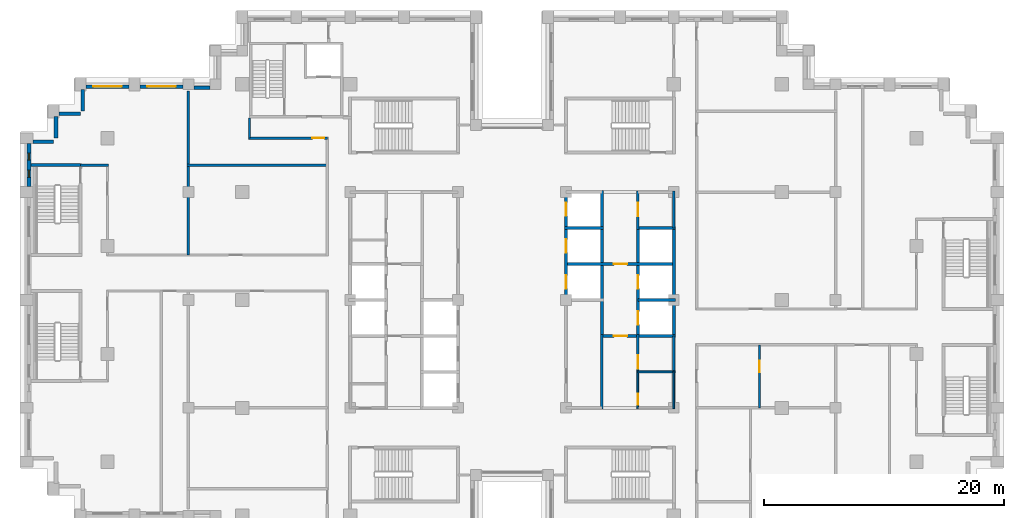
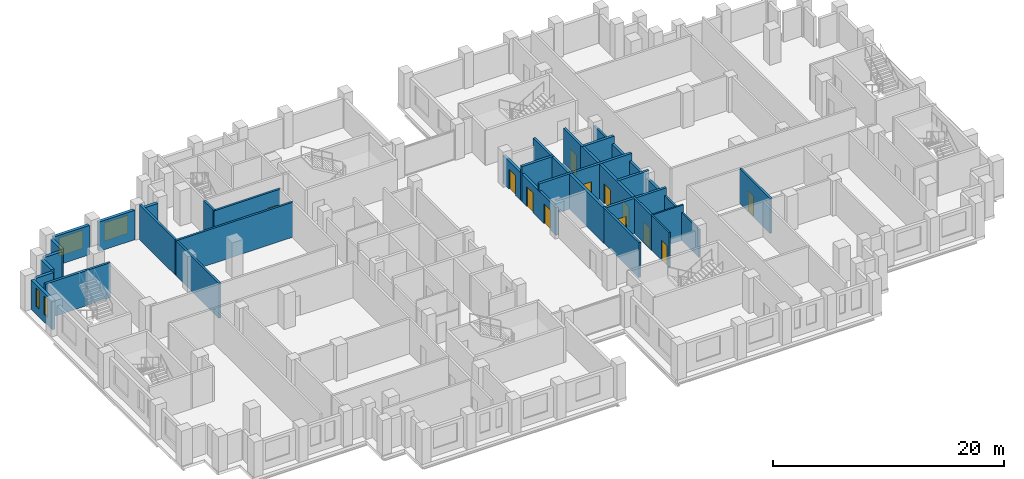
# One storey, part 9 of 15: 32 walls, 12 doors, 4 windows, 16 openings.
"""IFC4 building model written with IfcOpenShell, lengths in metres."""

from ifc_helpers import new_model, si_unit, direction, frame, frame_2d, origin, place, context, subcontext, project, spatial, rectangle, extrude, material, layer, layer_set, type_object, element, fill, save


model = new_model("IFC4")

# Units and contexts
model_context = context("Model", 3, precision=1e-05, world=origin(), true_north=direction((0.0, 1.0)))
body_context = subcontext(model_context, "Body", "Model", "MODEL_VIEW")
ifc_project = project(units=[si_unit("LENGTHUNIT", "METRE"), si_unit("AREAUNIT", "SQUARE_METRE"), si_unit("VOLUMEUNIT", "CUBIC_METRE"), si_unit("PLANEANGLEUNIT", "RADIAN"), si_unit("MASSUNIT", "GRAM", prefix="KILO")], contexts=[model_context])

# Site, building, storey
site_placement = place(None, origin())
site = spatial("IfcSite", under=ifc_project, at=site_placement, CompositionType="ELEMENT")
building_placement = place(site_placement, origin())
building = spatial("IfcBuilding", under=site, at=building_placement, Name="Corbelhall Arena Tower", CompositionType="ELEMENT")
storey_placement = place(building_placement, frame((0.0, 0.0, 142.0)))
storey = spatial("IfcBuildingStorey", under=building, at=storey_placement, Name="L27", CompositionType="ELEMENT", Elevation=142.0)

# Walls
ifc_material_1 = material(Name="Precast concrete C40/50 with granite facing", Category="masonry")
ifc_layer_1 = layer(ifc_material_1, 0.300048828125)
ifc_layer_set_1 = layer_set([ifc_layer_1], Name="EV-IW1 Infill panel 300")
wall_type_1 = type_object("IfcWallType", Name="EV-IW1 Infill panel 300", PredefinedType="SOLIDWALL", material=ifc_layer_set_1)
for number, where, z_axis, x_axis, name in (
    (1, (-35.800048828125, 17.550048828125, 0.0), (0.0, 0.0, 1.0), (0.0, -1.0, 0.0), "Infill panel IW1"),
    (2, (-37.800048828125, 15.550048828125, 0.0), (0.0, 0.0, 1.0), (1.0, 0.0, 0.0), "Infill panel IW1"),
    (3, (-38.050048828125, 15.300048828125, 0.0), (0.0, 0.0, 1.0), (0.0, -1.0, 0.0), "Infill panel IW1"),
):
    element("IfcWall", number, at=place(storey_placement, frame(where, z_axis=z_axis, x_axis=x_axis)), inside=storey, type_object=wall_type_1, Name=name, PredefinedType="SOLIDWALL", context=body_context, shape_type="SweptSolid", body=[
        extrude(rectangle(XDim=1.800048828125, YDim=0.300048828125, at=frame_2d((0.89990234375, 0.0))), origin(), (0.0, 0.0, 1.0), 3.10009765625),
    ])
wall_1_placement = place(storey_placement, frame((-39.949951171875, 13.199951171875, 0.0), z_axis=(0.0, 0.0, 1.0), x_axis=(1.0, 0.0, 0.0)))
element("IfcWall", 4, at=wall_1_placement, inside=storey, type_object=wall_type_1, Name="Infill panel IW1", PredefinedType="SOLIDWALL", context=body_context, shape_type="SweptSolid", body=[
    extrude(rectangle(XDim=1.699951171875, YDim=0.300048828125, at=frame_2d((0.85009765625, 0.0))), origin(), (0.0, 0.0, 1.0), 3.10009765625),
])
wall_2_placement = place(storey_placement, frame((-25.199951171875, 17.699951171875, 0.0), z_axis=(0.0, 0.0, 1.0), x_axis=(-1.0, 0.0, 0.0)))
element("IfcWall", 5, at=wall_2_placement, inside=storey, type_object=wall_type_1, Name="Infill panel IW1", PredefinedType="SOLIDWALL", context=body_context, shape_type="SweptSolid", body=[
    extrude(rectangle(XDim=1.35009765625, YDim=0.300048828125, at=frame_2d((0.675048828125, 0.0))), origin(), (0.0, 0.0, 1.0), 3.10009765625),
])

# Wall, opening, window
wall_3_placement = place(storey_placement, frame((-27.449951171875, 17.800048828125, 0.0), z_axis=(0.0, 0.0, 1.0), x_axis=(-1.0, 0.0, 0.0)))
wall_3 = element("IfcWall", 6, at=wall_3_placement, inside=storey, type_object=wall_type_1, Name="Infill panel IW1", PredefinedType="SOLIDWALL", context=body_context, shape_type="SweptSolid", body=[
    extrude(rectangle(XDim=3.60009765625, YDim=0.300048828125, at=frame_2d((1.800048828125, 0.0))), origin(), (0.0, 0.0, 1.0), 3.10009765625),
])
opening_1_placement = place(wall_3_placement, frame((0.60009765625, 0.0, 0.800048828125)))
opening_1 = element("IfcOpeningElement", 7, at=opening_1_placement, cuts=wall_3, Name="Opening WN1", PredefinedType="OPENING", context=body_context, shape_type="SweptSolid", body=[
    extrude(rectangle(XDim=2.39990234375, YDim=1.949951171875, at=frame_2d((1.199951171875, 0.97509765625))), frame((0.0, 0.14990234375, 0.0), z_axis=(0.0, -1.0, 0.0), x_axis=(1.0, 0.0, 0.0)), (0.0, 0.0, 1.0), 0.300048828125),
])
ifc_material_2 = material(Name="Aluminium black anodised", Category="aluminium")
window_type_1 = type_object("IfcWindowType", Name="EV-WN1 Office window", PartitioningType="SINGLE_PANEL", PredefinedType="WINDOW", material=ifc_material_2)
window_1_placement = place(opening_1_placement, origin())
window_1 = element("IfcWindow", 8, at=window_1_placement, inside=storey, type_object=window_type_1, Name="Window WN1", OverallHeight=1.949951171875, OverallWidth=2.39990234375, PartitioningType="SINGLE_PANEL", PredefinedType="WINDOW", context=body_context, shape_type="SweptSolid", body=[
    extrude(rectangle(XDim=2.39990234375, YDim=1.949951171875, at=frame_2d((1.199951171875, 0.97509765625))), frame((0.0, 0.030029296875, 0.0), z_axis=(0.0, -1.0, 0.0), x_axis=(1.0, 0.0, 0.0)), (0.0, 0.0, 1.0), 0.06005859375),
])
fill(opening_1, window_1)

wall_4_placement = place(storey_placement, frame((-31.949951171875, 17.800048828125, 0.0), z_axis=(0.0, 0.0, 1.0), x_axis=(-1.0, 0.0, 0.0)))
wall_4 = element("IfcWall", 9, at=wall_4_placement, inside=storey, type_object=wall_type_1, Name="Infill panel IW1", PredefinedType="SOLIDWALL", context=body_context, shape_type="SweptSolid", body=[
    extrude(rectangle(XDim=3.60009765625, YDim=0.300048828125, at=frame_2d((1.800048828125, 0.0))), origin(), (0.0, 0.0, 1.0), 3.10009765625),
])
opening_2_placement = place(wall_4_placement, frame((0.60009765625, 0.0, 0.800048828125)))
opening_2 = element("IfcOpeningElement", 10, at=opening_2_placement, cuts=wall_4, Name="Opening WN1", PredefinedType="OPENING", context=body_context, shape_type="SweptSolid", body=[
    extrude(rectangle(XDim=2.39990234375, YDim=1.949951171875, at=frame_2d((1.199951171875, 0.97509765625))), frame((0.0, 0.14990234375, 0.0), z_axis=(0.0, -1.0, 0.0), x_axis=(1.0, 0.0, 0.0)), (0.0, 0.0, 1.0), 0.300048828125),
])
window_2_placement = place(opening_2_placement, origin())
window_2 = element("IfcWindow", 11, at=window_2_placement, inside=storey, type_object=window_type_1, Name="Window WN1", OverallHeight=1.949951171875, OverallWidth=2.39990234375, PartitioningType="SINGLE_PANEL", PredefinedType="WINDOW", context=body_context, shape_type="SweptSolid", body=[
    extrude(rectangle(XDim=2.39990234375, YDim=1.949951171875, at=frame_2d((1.199951171875, 0.97509765625))), frame((0.0, 0.030029296875, 0.0), z_axis=(0.0, -1.0, 0.0), x_axis=(1.0, 0.0, 0.0)), (0.0, 0.0, 1.0), 0.06005859375),
])
fill(opening_2, window_2)

# Wall, openings, windows
wall_5_placement = place(storey_placement, frame((-40.300048828125, 13.050048828125, 0.0), z_axis=(0.0, 0.0, 1.0), x_axis=(0.0, -1.0, 0.0)))
wall_5 = element("IfcWall", 12, at=wall_5_placement, inside=storey, type_object=wall_type_1, Name="Infill panel IW1", PredefinedType="SOLIDWALL", context=body_context, shape_type="SweptSolid", body=[
    extrude(rectangle(XDim=3.60009765625, YDim=0.300048828125, at=frame_2d((1.800048828125, 0.0))), origin(), (0.0, 0.0, 1.0), 3.10009765625),
])
opening_3_placement = place(wall_5_placement, frame((0.78759765625, 0.0, 0.800048828125)))
opening_3 = element("IfcOpeningElement", 13, at=opening_3_placement, cuts=wall_5, Name="Opening WN5", PredefinedType="OPENING", context=body_context, shape_type="SweptSolid", body=[
    extrude(rectangle(XDim=0.60009765625, YDim=1.949951171875, at=frame_2d((0.300048828125, 0.97509765625))), frame((0.0, 0.14990234375, 0.0), z_axis=(0.0, -1.0, 0.0), x_axis=(1.0, 0.0, 0.0)), (0.0, 0.0, 1.0), 0.300048828125),
])
opening_4_placement = place(wall_5_placement, frame((2.21240234375, 0.0, 0.800048828125)))
opening_4 = element("IfcOpeningElement", 14, at=opening_4_placement, cuts=wall_5, Name="Opening WN5", PredefinedType="OPENING", context=body_context, shape_type="SweptSolid", body=[
    extrude(rectangle(XDim=0.60009765625, YDim=1.949951171875, at=frame_2d((0.300048828125, 0.97509765625))), frame((0.0, 0.14990234375, 0.0), z_axis=(0.0, -1.0, 0.0), x_axis=(1.0, 0.0, 0.0)), (0.0, 0.0, 1.0), 0.300048828125),
])
window_type_2 = type_object("IfcWindowType", Name="EV-WN5 Office window 600", PartitioningType="SINGLE_PANEL", PredefinedType="WINDOW", material=ifc_material_2)
window_3_placement = place(opening_3_placement, origin())
window_3 = element("IfcWindow", 15, at=window_3_placement, inside=storey, type_object=window_type_2, Name="Window WN5", OverallHeight=1.949951171875, OverallWidth=0.60009765625, PartitioningType="SINGLE_PANEL", PredefinedType="WINDOW", context=body_context, shape_type="SweptSolid", body=[
    extrude(rectangle(XDim=0.60009765625, YDim=1.949951171875, at=frame_2d((0.300048828125, 0.97509765625))), frame((0.0, 0.030029296875, 0.0), z_axis=(0.0, -1.0, 0.0), x_axis=(1.0, 0.0, 0.0)), (0.0, 0.0, 1.0), 0.06005859375),
])
fill(opening_3, window_3)
window_4_placement = place(opening_4_placement, origin())
window_4 = element("IfcWindow", 16, at=window_4_placement, inside=storey, type_object=window_type_2, Name="Window WN5", OverallHeight=1.949951171875, OverallWidth=0.60009765625, PartitioningType="SINGLE_PANEL", PredefinedType="WINDOW", context=body_context, shape_type="SweptSolid", body=[
    extrude(rectangle(XDim=0.60009765625, YDim=1.949951171875, at=frame_2d((0.300048828125, 0.97509765625))), frame((0.0, 0.030029296875, 0.0), z_axis=(0.0, -1.0, 0.0), x_axis=(1.0, 0.0, 0.0)), (0.0, 0.0, 1.0), 0.06005859375),
])
fill(opening_4, window_4)

# Walls
ifc_material_3 = material(Name="Gypsum board on steel stud, acoustic", Category="steel")
ifc_layer_2 = layer(ifc_material_3, 0.199951171875)
ifc_layer_set_2 = layer_set([ifc_layer_2], Name="IN-W-DM200")
wall_type_2 = type_object("IfcWallType", Name="IN-W-DM200", PredefinedType="PARTITIONING", material=ifc_layer_set_2)
wall_6_placement = place(storey_placement, frame((-36.0, 11.25, 0.0), z_axis=(0.0, 0.0, 1.0), x_axis=(1.0, 0.0, 0.0)))
element("IfcWall", 17, at=wall_6_placement, inside=storey, type_object=wall_type_2, Name="Partition 001", PredefinedType="PARTITIONING", context=body_context, shape_type="SweptSolid", body=[
    extrude(rectangle(XDim=2.35009765625, YDim=0.199951171875, at=frame_2d((1.175048828125, 0.0))), origin(), (0.0, 0.0, 1.0), 3.699951171875),
])
wall_7_placement = place(storey_placement, frame((-27.10009765625, 11.25, 0.0), z_axis=(0.0, 0.0, 1.0), x_axis=(1.0, 0.0, 0.0)))
element("IfcWall", 18, at=wall_7_placement, inside=storey, type_object=wall_type_2, Name="Partition 010", PredefinedType="PARTITIONING", context=body_context, shape_type="SweptSolid", body=[
    extrude(rectangle(XDim=11.7001953125, YDim=0.199951171875, at=frame_2d((5.85009765625, 0.0))), origin(), (0.0, 0.0, 1.0), 3.699951171875),
])
wall_8_placement = place(storey_placement, frame((-27.0, 3.75, 0.0), z_axis=(0.0, 0.0, 1.0), x_axis=(0.0, 1.0, 0.0)))
element("IfcWall", 19, at=wall_8_placement, inside=storey, type_object=wall_type_2, Name="Partition 012", PredefinedType="PARTITIONING", context=body_context, shape_type="SweptSolid", body=[
    extrude(rectangle(XDim=13.699951171875, YDim=0.199951171875, at=frame_2d((6.85009765625, 0.0))), origin(), (0.0, 0.0, 1.0), 3.699951171875),
])
wall_9_placement = place(storey_placement, frame((-21.89990234375, 13.5, 0.0), z_axis=(0.0, 0.0, 1.0), x_axis=(0.0, 1.0, 0.0)))
element("IfcWall", 20, at=wall_9_placement, inside=storey, type_object=wall_type_2, Name="Partition 014", PredefinedType="PARTITIONING", context=body_context, shape_type="SweptSolid", body=[
    extrude(rectangle(XDim=1.699951171875, YDim=0.199951171875, at=frame_2d((0.85009765625, 0.0))), origin(), (0.0, 0.0, 1.0), 3.699951171875),
])

# Wall, opening, door
wall_10_placement = place(storey_placement, frame((-15.39990234375, 13.5, 0.0), z_axis=(0.0, 0.0, 1.0), x_axis=(-1.0, 0.0, 0.0)))
wall_10 = element("IfcWall", 21, at=wall_10_placement, inside=storey, type_object=wall_type_2, Name="Partition 018", PredefinedType="PARTITIONING", context=body_context, shape_type="SweptSolid", body=[
    extrude(rectangle(XDim=6.60009765625, YDim=0.199951171875, at=frame_2d((3.300048828125, 0.0))), origin(), (0.0, 0.0, 1.0), 3.699951171875),
])
opening_5_placement = place(wall_10_placement, frame((0.25, 0.0, 0.0)))
opening_5 = element("IfcOpeningElement", 22, at=opening_5_placement, cuts=wall_10, Name="Opening 07027", PredefinedType="OPENING", context=body_context, shape_type="SweptSolid", body=[
    extrude(rectangle(XDim=1.0, YDim=2.10009765625, at=frame_2d((0.5, 1.050048828125))), frame((0.0, 0.10009765625, 0.0), z_axis=(0.0, -1.0, 0.0), x_axis=(1.0, 0.0, 0.0)), (0.0, 0.0, 1.0), 0.199951171875),
])
ifc_material_4 = material(Name="Steel door set", Category="steel")
door_type_1 = type_object("IfcDoorType", Name="IN-D-SW100", OperationType="NOTDEFINED", PredefinedType="DOOR", material=ifc_material_4)
door_1_placement = place(opening_5_placement, origin())
door_1 = element("IfcDoor", 23, at=door_1_placement, inside=storey, type_object=door_type_1, Name="Door 027", OperationType="SINGLE_SWING_RIGHT", OverallHeight=2.10009765625, OverallWidth=1.0, PredefinedType="DOOR", context=body_context, shape_type="SweptSolid", body=[
    extrude(rectangle(XDim=1.0, YDim=2.10009765625, at=frame_2d((0.5, 1.050048828125))), frame((0.0, 0.02490234375, 0.0), z_axis=(0.0, -1.0, 0.0), x_axis=(1.0, 0.0, 0.0)), (0.0, 0.0, 1.0), 0.050048828125),
])
fill(opening_5, door_1)

wall_11_placement = place(storey_placement, frame((20.64990234375, -3.75, 0.0), z_axis=(0.0, 0.0, 1.0), x_axis=(0.0, -1.0, 0.0)))
wall_11 = element("IfcWall", 24, at=wall_11_placement, inside=storey, type_object=wall_type_2, Name="Partition 036", PredefinedType="PARTITIONING", context=body_context, shape_type="SweptSolid", body=[
    extrude(rectangle(XDim=5.25, YDim=0.199951171875, at=frame_2d((2.625, 0.0))), origin(), (0.0, 0.0, 1.0), 3.699951171875),
])
opening_6_placement = place(wall_11_placement, frame((1.300048828125, 0.0, 0.0)))
opening_6 = element("IfcOpeningElement", 25, at=opening_6_placement, cuts=wall_11, Name="Opening 07039", PredefinedType="OPENING", context=body_context, shape_type="SweptSolid", body=[
    extrude(rectangle(XDim=1.0, YDim=2.10009765625, at=frame_2d((0.5, 1.050048828125))), frame((0.0, 0.10009765625, 0.0), z_axis=(0.0, -1.0, 0.0), x_axis=(1.0, 0.0, 0.0)), (0.0, 0.0, 1.0), 0.199951171875),
])
door_2_placement = place(opening_6_placement, origin())
door_2 = element("IfcDoor", 26, at=door_2_placement, inside=storey, type_object=door_type_1, Name="Door 039", OperationType="SINGLE_SWING_RIGHT", OverallHeight=2.10009765625, OverallWidth=1.0, PredefinedType="DOOR", context=body_context, shape_type="SweptSolid", body=[
    extrude(rectangle(XDim=1.0, YDim=2.10009765625, at=frame_2d((0.5, 1.050048828125))), frame((0.0, 0.02490234375, 0.0), z_axis=(0.0, -1.0, 0.0), x_axis=(1.0, 0.0, 0.0)), (0.0, 0.0, 1.0), 0.050048828125),
])
fill(opening_6, door_2)

# Wall
ifc_material_5 = material(Name="Concrete block wall", Category="concrete")
ifc_layer_3 = layer(ifc_material_5, 0.199951171875)
ifc_layer_set_3 = layer_set([ifc_layer_3], Name="IN-W-RS200")
wall_type_3 = type_object("IfcWallType", Name="IN-W-RS200", PredefinedType="SOLIDWALL", material=ifc_layer_set_3)
wall_12_placement = place(storey_placement, frame((7.5, -2.875, 0.0), z_axis=(0.0, 0.0, 1.0), x_axis=(0.0, -1.0, 0.0)))
element("IfcWall", 27, at=wall_12_placement, inside=storey, type_object=wall_type_3, Name="Partition 056", PredefinedType="SOLIDWALL", context=body_context, shape_type="SweptSolid", body=[
    extrude(rectangle(XDim=6.22509765625, YDim=0.199951171875, at=frame_2d((3.112548828125, 0.0))), origin(), (0.0, 0.0, 1.0), 3.699951171875),
])

# Wall, opening, door
wall_13_placement = place(storey_placement, frame((10.5, -2.875, 0.0), z_axis=(0.0, 0.0, 1.0), x_axis=(0.0, -1.0, 0.0)))
wall_13 = element("IfcWall", 28, at=wall_13_placement, inside=storey, type_object=wall_type_3, Name="Partition 057", PredefinedType="SOLIDWALL", context=body_context, shape_type="SweptSolid", body=[
    extrude(rectangle(XDim=3.199951171875, YDim=0.199951171875, at=frame_2d((1.60009765625, 0.0))), origin(), (0.0, 0.0, 1.0), 3.699951171875),
])
opening_7_placement = place(wall_13_placement, frame((1.75, 0.0, 0.0)))
opening_7 = element("IfcOpeningElement", 29, at=opening_7_placement, cuts=wall_13, Name="Opening 07012", PredefinedType="OPENING", context=body_context, shape_type="SweptSolid", body=[
    extrude(rectangle(XDim=1.10009765625, YDim=2.10009765625, at=frame_2d((0.550048828125, 1.050048828125))), frame((0.0, 0.10009765625, 0.0), z_axis=(0.0, -1.0, 0.0), x_axis=(1.0, 0.0, 0.0)), (0.0, 0.0, 1.0), 0.199951171875),
])
door_type_2 = type_object("IfcDoorType", Name="IN-D-FD110", OperationType="NOTDEFINED", PredefinedType="DOOR", material=ifc_material_4)
door_3_placement = place(opening_7_placement, origin())
door_3 = element("IfcDoor", 30, at=door_3_placement, inside=storey, type_object=door_type_2, Name="Door 012", OperationType="SINGLE_SWING_LEFT", OverallHeight=2.10009765625, OverallWidth=1.10009765625, PredefinedType="DOOR", context=body_context, shape_type="SweptSolid", body=[
    extrude(rectangle(XDim=1.10009765625, YDim=2.10009765625, at=frame_2d((0.550048828125, 1.050048828125))), frame((0.0, 0.02490234375, 0.0), z_axis=(0.0, -1.0, 0.0), x_axis=(1.0, 0.0, 0.0)), (0.0, 0.0, 1.0), 0.050048828125),
])
fill(opening_7, door_3)

wall_14_placement = place(storey_placement, frame((10.5, 9.10009765625, 0.0), z_axis=(0.0, 0.0, 1.0), x_axis=(0.0, -1.0, 0.0)))
wall_14 = element("IfcWall", 31, at=wall_14_placement, inside=storey, type_object=wall_type_3, Name="Partition 059", PredefinedType="SOLIDWALL", context=body_context, shape_type="SweptSolid", body=[
    extrude(rectangle(XDim=3.22509765625, YDim=0.199951171875, at=frame_2d((1.612548828125, 0.0))), origin(), (0.0, 0.0, 1.0), 3.699951171875),
])
opening_8_placement = place(wall_14_placement, frame((1.0, 0.0, 0.0)))
opening_8 = element("IfcOpeningElement", 32, at=opening_8_placement, cuts=wall_14, Name="Opening 07013", PredefinedType="OPENING", context=body_context, shape_type="SweptSolid", body=[
    extrude(rectangle(XDim=1.10009765625, YDim=2.10009765625, at=frame_2d((0.550048828125, 1.050048828125))), frame((0.0, 0.10009765625, 0.0), z_axis=(0.0, -1.0, 0.0), x_axis=(1.0, 0.0, 0.0)), (0.0, 0.0, 1.0), 0.199951171875),
])
door_4_placement = place(opening_8_placement, origin())
door_4 = element("IfcDoor", 33, at=door_4_placement, inside=storey, type_object=door_type_2, Name="Door 013", OperationType="SINGLE_SWING_RIGHT", OverallHeight=2.10009765625, OverallWidth=1.10009765625, PredefinedType="DOOR", context=body_context, shape_type="SweptSolid", body=[
    extrude(rectangle(XDim=1.10009765625, YDim=2.10009765625, at=frame_2d((0.550048828125, 1.050048828125))), frame((0.0, 0.02490234375, 0.0), z_axis=(0.0, -1.0, 0.0), x_axis=(1.0, 0.0, 0.0)), (0.0, 0.0, 1.0), 0.050048828125),
])
fill(opening_8, door_4)

# Walls
ifc_layer_4 = layer(ifc_material_5, 0.199951171875)
ifc_layer_set_4 = layer_set([ifc_layer_4], Name="IN-W-RS200 under beam 762 mm")
wall_type_4 = type_object("IfcWallType", Name="IN-W-RS200 under beam 762 mm", PredefinedType="SOLIDWALL", material=ifc_layer_set_4)
wall_15_placement = place(storey_placement, frame((13.5, -3.0, 0.0), z_axis=(0.0, 0.0, 1.0), x_axis=(0.0, -1.0, 0.0)))
element("IfcWall", 34, at=wall_15_placement, inside=storey, type_object=wall_type_4, Name="Partition 060", PredefinedType="SOLIDWALL", context=body_context, shape_type="SweptSolid", body=[
    extrude(rectangle(XDim=3.0, YDim=0.199951171875, at=frame_2d((1.5, 0.0))), origin(), (0.0, 0.0, 1.0), 2.93798828125),
])
wall_16_placement = place(storey_placement, frame((13.5, 9.10009765625, 0.0), z_axis=(0.0, 0.0, 1.0), x_axis=(0.0, -1.0, 0.0)))
element("IfcWall", 35, at=wall_16_placement, inside=storey, type_object=wall_type_4, Name="Partition 061", PredefinedType="SOLIDWALL", context=body_context, shape_type="SweptSolid", body=[
    extrude(rectangle(XDim=3.10009765625, YDim=0.199951171875, at=frame_2d((1.550048828125, 0.0))), origin(), (0.0, 0.0, 1.0), 2.93798828125),
])

# Wall, opening, door
ifc_material_6 = material(Name="Concrete C40/50", Category="concrete")
ifc_layer_5 = layer(ifc_material_6, 0.25)
ifc_layer_set_5 = layer_set([ifc_layer_5], Name="IN-W-SH250")
wall_type_5 = type_object("IfcWallType", Name="IN-W-SH250", PredefinedType="SOLIDWALL", material=ifc_layer_set_5)
wall_17_placement = place(storey_placement, frame((4.375, 3.0, 0.0), z_axis=(0.0, 0.0, 1.0), x_axis=(1.0, 0.0, 0.0)))
wall_17 = element("IfcWall", 36, at=wall_17_placement, inside=storey, type_object=wall_type_5, Name="Shaft wall 073", PredefinedType="SOLIDWALL", context=body_context, shape_type="SweptSolid", body=[
    extrude(rectangle(XDim=9.25, YDim=0.25, at=frame_2d((4.625, 0.0))), origin(), (0.0, 0.0, 1.0), 3.699951171875),
])
opening_9_placement = place(wall_17_placement, frame((4.125, 0.0, 0.0)))
opening_9 = element("IfcOpeningElement", 37, at=opening_9_placement, cuts=wall_17, Name="Opening 07010", PredefinedType="OPENING", context=body_context, shape_type="SweptSolid", body=[
    extrude(rectangle(XDim=1.10009765625, YDim=2.10009765625, at=frame_2d((0.550048828125, 1.050048828125))), frame((0.0, 0.125, 0.0), z_axis=(0.0, -1.0, 0.0), x_axis=(1.0, 0.0, 0.0)), (0.0, 0.0, 1.0), 0.25),
])
door_5_placement = place(opening_9_placement, origin())
door_5 = element("IfcDoor", 38, at=door_5_placement, inside=storey, type_object=door_type_2, Name="Door 010", OperationType="SINGLE_SWING_LEFT", OverallHeight=2.10009765625, OverallWidth=1.10009765625, PredefinedType="DOOR", context=body_context, shape_type="SweptSolid", body=[
    extrude(rectangle(XDim=1.10009765625, YDim=2.10009765625, at=frame_2d((0.550048828125, 1.050048828125))), frame((0.0, 0.02490234375, 0.0), z_axis=(0.0, -1.0, 0.0), x_axis=(1.0, 0.0, 0.0)), (0.0, 0.0, 1.0), 0.050048828125),
])
fill(opening_9, door_5)

# Wall
wall_18_placement = place(storey_placement, frame((4.375, 6.0, 0.0), z_axis=(0.0, 0.0, 1.0), x_axis=(1.0, 0.0, 0.0)))
element("IfcWall", 39, at=wall_18_placement, inside=storey, type_object=wall_type_5, Name="Shaft wall 074", PredefinedType="SOLIDWALL", context=body_context, shape_type="SweptSolid", body=[
    extrude(rectangle(XDim=3.25, YDim=0.25, at=frame_2d((1.625, 0.0))), origin(), (0.0, 0.0, 1.0), 3.699951171875),
])

# Wall, opening, door
wall_19_placement = place(storey_placement, frame((7.5, -3.0, 0.0), z_axis=(0.0, 0.0, 1.0), x_axis=(1.0, 0.0, 0.0)))
wall_19 = element("IfcWall", 40, at=wall_19_placement, inside=storey, type_object=wall_type_5, Name="Shaft wall 077", PredefinedType="SOLIDWALL", context=body_context, shape_type="SweptSolid", body=[
    extrude(rectangle(XDim=6.125, YDim=0.25, at=frame_2d((3.0625, 0.0))), origin(), (0.0, 0.0, 1.0), 3.699951171875),
])
opening_10_placement = place(wall_19_placement, frame((1.0, 0.0, 0.0)))
opening_10 = element("IfcOpeningElement", 41, at=opening_10_placement, cuts=wall_19, Name="Opening 07009", PredefinedType="OPENING", context=body_context, shape_type="SweptSolid", body=[
    extrude(rectangle(XDim=1.10009765625, YDim=2.10009765625, at=frame_2d((0.550048828125, 1.050048828125))), frame((0.0, 0.125, 0.0), z_axis=(0.0, -1.0, 0.0), x_axis=(1.0, 0.0, 0.0)), (0.0, 0.0, 1.0), 0.25),
])
door_6_placement = place(opening_10_placement, origin())
door_6 = element("IfcDoor", 42, at=door_6_placement, inside=storey, type_object=door_type_2, Name="Door 009", OperationType="SINGLE_SWING_RIGHT", OverallHeight=2.10009765625, OverallWidth=1.10009765625, PredefinedType="DOOR", context=body_context, shape_type="SweptSolid", body=[
    extrude(rectangle(XDim=1.10009765625, YDim=2.10009765625, at=frame_2d((0.550048828125, 1.050048828125))), frame((0.0, 0.02490234375, 0.0), z_axis=(0.0, -1.0, 0.0), x_axis=(1.0, 0.0, 0.0)), (0.0, 0.0, 1.0), 0.050048828125),
])
fill(opening_10, door_6)

# Walls
wall_20_placement = place(storey_placement, frame((7.5, 9.125, 0.0), z_axis=(0.0, 0.0, 1.0), x_axis=(0.0, -1.0, 0.0)))
element("IfcWall", 43, at=wall_20_placement, inside=storey, type_object=wall_type_5, Name="Shaft wall 078", PredefinedType="SOLIDWALL", context=body_context, shape_type="SweptSolid", body=[
    extrude(rectangle(XDim=12.25, YDim=0.25, at=frame_2d((6.125, 0.0))), origin(), (0.0, 0.0, 1.0), 3.699951171875),
])
wall_21_placement = place(storey_placement, frame((10.5, 0.0, 0.0), z_axis=(0.0, 0.0, 1.0), x_axis=(1.0, 0.0, 0.0)))
element("IfcWall", 44, at=wall_21_placement, inside=storey, type_object=wall_type_5, Name="Shaft wall 079", PredefinedType="SOLIDWALL", context=body_context, shape_type="SweptSolid", body=[
    extrude(rectangle(XDim=3.125, YDim=0.25, at=frame_2d((1.5625, 0.0))), origin(), (0.0, 0.0, 1.0), 3.699951171875),
])

# Wall, openings, doors
wall_22_placement = place(storey_placement, frame((10.5, 6.125, 0.0), z_axis=(0.0, 0.0, 1.0), x_axis=(0.0, -1.0, 0.0)))
wall_22 = element("IfcWall", 45, at=wall_22_placement, inside=storey, type_object=wall_type_5, Name="Shaft wall 080", PredefinedType="SOLIDWALL", context=body_context, shape_type="SweptSolid", body=[
    extrude(rectangle(XDim=9.25, YDim=0.25, at=frame_2d((4.625, 0.0))), origin(), (0.0, 0.0, 1.0), 3.699951171875),
])
opening_11_placement = place(wall_22_placement, frame((7.074951171875, 0.0, 0.0)))
opening_11 = element("IfcOpeningElement", 46, at=opening_11_placement, cuts=wall_22, Name="Opening LD", PredefinedType="OPENING", context=body_context, shape_type="SweptSolid", body=[
    extrude(rectangle(XDim=1.10009765625, YDim=2.10009765625, at=frame_2d((0.550048828125, 1.050048828125))), frame((0.0, 0.125, 0.0), z_axis=(0.0, -1.0, 0.0), x_axis=(1.0, 0.0, 0.0)), (0.0, 0.0, 1.0), 0.25),
])
opening_12_placement = place(wall_22_placement, frame((4.074951171875, 0.0, 0.0)))
opening_12 = element("IfcOpeningElement", 47, at=opening_12_placement, cuts=wall_22, Name="Opening LD", PredefinedType="OPENING", context=body_context, shape_type="SweptSolid", body=[
    extrude(rectangle(XDim=1.10009765625, YDim=2.10009765625, at=frame_2d((0.550048828125, 1.050048828125))), frame((0.0, 0.125, 0.0), z_axis=(0.0, -1.0, 0.0), x_axis=(1.0, 0.0, 0.0)), (0.0, 0.0, 1.0), 0.25),
])
door_type_3 = type_object("IfcDoorType", Name="IN-D-LD110", OperationType="NOTDEFINED", PredefinedType="DOOR", material=ifc_material_4)
door_7_placement = place(opening_11_placement, origin())
door_7 = element("IfcDoor", 48, at=door_7_placement, inside=storey, type_object=door_type_3, Name="Landing door E3", OperationType="SLIDING_TO_LEFT", OverallHeight=2.10009765625, OverallWidth=1.10009765625, PredefinedType="DOOR", context=body_context, shape_type="SweptSolid", body=[
    extrude(rectangle(XDim=1.10009765625, YDim=2.10009765625, at=frame_2d((0.550048828125, 1.050048828125))), frame((0.0, 0.02490234375, 0.0), z_axis=(0.0, -1.0, 0.0), x_axis=(1.0, 0.0, 0.0)), (0.0, 0.0, 1.0), 0.050048828125),
])
fill(opening_11, door_7)
door_8_placement = place(opening_12_placement, origin())
door_8 = element("IfcDoor", 49, at=door_8_placement, inside=storey, type_object=door_type_3, Name="Landing door E4", OperationType="SLIDING_TO_LEFT", OverallHeight=2.10009765625, OverallWidth=1.10009765625, PredefinedType="DOOR", context=body_context, shape_type="SweptSolid", body=[
    extrude(rectangle(XDim=1.10009765625, YDim=2.10009765625, at=frame_2d((0.550048828125, 1.050048828125))), frame((0.0, 0.02490234375, 0.0), z_axis=(0.0, -1.0, 0.0), x_axis=(1.0, 0.0, 0.0)), (0.0, 0.0, 1.0), 0.050048828125),
])
fill(opening_12, door_8)

# Wall
wall_23_placement = place(storey_placement, frame((10.5, 6.0, 0.0), z_axis=(0.0, 0.0, 1.0), x_axis=(1.0, 0.0, 0.0)))
element("IfcWall", 50, at=wall_23_placement, inside=storey, type_object=wall_type_5, Name="Shaft wall 081", PredefinedType="SOLIDWALL", context=body_context, shape_type="SweptSolid", body=[
    extrude(rectangle(XDim=3.125, YDim=0.25, at=frame_2d((1.5625, 0.0))), origin(), (0.0, 0.0, 1.0), 3.699951171875),
])

# Wall, openings, doors
ifc_layer_6 = layer(ifc_material_6, 0.25)
ifc_layer_set_6 = layer_set([ifc_layer_6], Name="IN-W-SH250 under beam 762 mm")
wall_type_6 = type_object("IfcWallType", Name="IN-W-SH250 under beam 762 mm", PredefinedType="SOLIDWALL", material=ifc_layer_set_6)
wall_24_placement = place(storey_placement, frame((4.5, 0.0, 0.0), z_axis=(0.0, 0.0, 1.0), x_axis=(0.0, 1.0, 0.0)))
wall_24 = element("IfcWall", 51, at=wall_24_placement, inside=storey, type_object=wall_type_6, Name="Shaft wall 075", PredefinedType="SOLIDWALL", context=body_context, shape_type="SweptSolid", body=[
    extrude(rectangle(XDim=9.125, YDim=0.25, at=frame_2d((4.5625, 0.0))), origin(), (0.0, 0.0, 1.0), 2.93798828125),
])
opening_13_placement = place(wall_24_placement, frame((0.949951171875, 0.0, 0.0)))
opening_13 = element("IfcOpeningElement", 52, at=opening_13_placement, cuts=wall_24, Name="Opening LD", PredefinedType="OPENING", context=body_context, shape_type="SweptSolid", body=[
    extrude(rectangle(XDim=1.10009765625, YDim=2.10009765625, at=frame_2d((0.550048828125, 1.050048828125))), frame((0.0, 0.125, 0.0), z_axis=(0.0, -1.0, 0.0), x_axis=(1.0, 0.0, 0.0)), (0.0, 0.0, 1.0), 0.25),
])
opening_14_placement = place(wall_24_placement, frame((3.949951171875, 0.0, 0.0)))
opening_14 = element("IfcOpeningElement", 53, at=opening_14_placement, cuts=wall_24, Name="Opening LD", PredefinedType="OPENING", context=body_context, shape_type="SweptSolid", body=[
    extrude(rectangle(XDim=1.10009765625, YDim=2.10009765625, at=frame_2d((0.550048828125, 1.050048828125))), frame((0.0, 0.125, 0.0), z_axis=(0.0, -1.0, 0.0), x_axis=(1.0, 0.0, 0.0)), (0.0, 0.0, 1.0), 0.25),
])
opening_15_placement = place(wall_24_placement, frame((7.012451171875, 0.0, 0.0)))
opening_15 = element("IfcOpeningElement", 54, at=opening_15_placement, cuts=wall_24, Name="Opening LD", PredefinedType="OPENING", context=body_context, shape_type="SweptSolid", body=[
    extrude(rectangle(XDim=1.10009765625, YDim=2.10009765625, at=frame_2d((0.550048828125, 1.050048828125))), frame((0.0, 0.125, 0.0), z_axis=(0.0, -1.0, 0.0), x_axis=(1.0, 0.0, 0.0)), (0.0, 0.0, 1.0), 0.25),
])
door_9_placement = place(opening_13_placement, origin())
door_9 = element("IfcDoor", 55, at=door_9_placement, inside=storey, type_object=door_type_3, Name="Landing door E4", OperationType="SLIDING_TO_LEFT", OverallHeight=2.10009765625, OverallWidth=1.10009765625, PredefinedType="DOOR", context=body_context, shape_type="SweptSolid", body=[
    extrude(rectangle(XDim=1.10009765625, YDim=2.10009765625, at=frame_2d((0.550048828125, 1.050048828125))), frame((0.0, 0.02490234375, 0.0), z_axis=(0.0, -1.0, 0.0), x_axis=(1.0, 0.0, 0.0)), (0.0, 0.0, 1.0), 0.050048828125),
])
fill(opening_13, door_9)
door_10_placement = place(opening_14_placement, origin())
door_10 = element("IfcDoor", 56, at=door_10_placement, inside=storey, type_object=door_type_3, Name="Landing door E5", OperationType="SLIDING_TO_LEFT", OverallHeight=2.10009765625, OverallWidth=1.10009765625, PredefinedType="DOOR", context=body_context, shape_type="SweptSolid", body=[
    extrude(rectangle(XDim=1.10009765625, YDim=2.10009765625, at=frame_2d((0.550048828125, 1.050048828125))), frame((0.0, 0.02490234375, 0.0), z_axis=(0.0, -1.0, 0.0), x_axis=(1.0, 0.0, 0.0)), (0.0, 0.0, 1.0), 0.050048828125),
])
fill(opening_14, door_10)
door_11_placement = place(opening_15_placement, origin())
door_11 = element("IfcDoor", 57, at=door_11_placement, inside=storey, type_object=door_type_3, Name="Landing door E6", OperationType="SLIDING_TO_LEFT", OverallHeight=2.10009765625, OverallWidth=1.10009765625, PredefinedType="DOOR", context=body_context, shape_type="SweptSolid", body=[
    extrude(rectangle(XDim=1.10009765625, YDim=2.10009765625, at=frame_2d((0.550048828125, 1.050048828125))), frame((0.0, 0.02490234375, 0.0), z_axis=(0.0, -1.0, 0.0), x_axis=(1.0, 0.0, 0.0)), (0.0, 0.0, 1.0), 0.050048828125),
])
fill(opening_15, door_11)

# Walls
wall_25_placement = place(storey_placement, frame((13.5, 6.0, 0.0), z_axis=(0.0, 0.0, 1.0), x_axis=(0.0, -1.0, 0.0)))
element("IfcWall", 58, at=wall_25_placement, inside=storey, type_object=wall_type_6, Name="Shaft wall 082", PredefinedType="SOLIDWALL", context=body_context, shape_type="SweptSolid", body=[
    extrude(rectangle(XDim=9.0, YDim=0.25, at=frame_2d((4.5, 0.0))), origin(), (0.0, 0.0, 1.0), 2.93798828125),
])
ifc_layer_7 = layer(ifc_material_6, 0.25)
ifc_layer_set_7 = layer_set([ifc_layer_7], Name="IN-W-ST250")
wall_type_7 = type_object("IfcWallType", Name="IN-W-ST250", PredefinedType="SOLIDWALL", material=ifc_layer_set_7)
wall_26_placement = place(storey_placement, frame((-40.14990234375, 11.25, 0.0), z_axis=(0.0, 0.0, 1.0), x_axis=(1.0, 0.0, 0.0)))
element("IfcWall", 59, at=wall_26_placement, inside=storey, type_object=wall_type_7, Name="Shaft wall 084", PredefinedType="SOLIDWALL", context=body_context, shape_type="SweptSolid", body=[
    extrude(rectangle(XDim=4.14990234375, YDim=0.25, at=frame_2d((2.074951171875, 0.0))), origin(), (0.0, 0.0, 1.0), 3.699951171875),
])
ifc_material_7 = material(Name="Gypsum board on steel stud, moisture resistant", Category="steel")
ifc_layer_8 = layer(ifc_material_7, 0.14990234375)
ifc_layer_set_8 = layer_set([ifc_layer_8], Name="IN-W-WC150")
wall_type_8 = type_object("IfcWallType", Name="IN-W-WC150", PredefinedType="PARTITIONING", material=ifc_layer_set_8)
wall_27_placement = place(storey_placement, frame((10.5, -6.0, 0.0), z_axis=(0.0, 0.0, 1.0), x_axis=(1.0, 0.0, 0.0)))
element("IfcWall", 60, at=wall_27_placement, inside=storey, type_object=wall_type_8, Name="Partition 118", PredefinedType="PARTITIONING", context=body_context, shape_type="SweptSolid", body=[
    extrude(rectangle(XDim=3.10009765625, YDim=0.14990234375, at=frame_2d((1.550048828125, 0.0))), origin(), (0.0, 0.0, 1.0), 3.699951171875),
])

# Wall, opening, door
wall_28_placement = place(storey_placement, frame((10.5, -5.925048828125, 0.0), z_axis=(0.0, 0.0, 1.0), x_axis=(0.0, -1.0, 0.0)))
wall_28 = element("IfcWall", 61, at=wall_28_placement, inside=storey, type_object=wall_type_8, Name="Partition 119", PredefinedType="PARTITIONING", context=body_context, shape_type="SweptSolid", body=[
    extrude(rectangle(XDim=3.14990234375, YDim=0.14990234375, at=frame_2d((1.574951171875, 0.0))), origin(), (0.0, 0.0, 1.0), 3.699951171875),
])
opening_16_placement = place(wall_28_placement, frame((1.89990234375, 0.0, 0.0)))
opening_16 = element("IfcOpeningElement", 62, at=opening_16_placement, cuts=wall_28, Name="Opening 07011", PredefinedType="OPENING", context=body_context, shape_type="SweptSolid", body=[
    extrude(rectangle(XDim=0.89990234375, YDim=2.10009765625, at=frame_2d((0.449951171875, 1.050048828125))), frame((0.0, 0.074951171875, 0.0), z_axis=(0.0, -1.0, 0.0), x_axis=(1.0, 0.0, 0.0)), (0.0, 0.0, 1.0), 0.14990234375),
])
ifc_material_8 = material(Name="Timber door set", Category="wood")
door_type_4 = type_object("IfcDoorType", Name="IN-D-SW90", OperationType="NOTDEFINED", PredefinedType="DOOR", material=ifc_material_8)
door_12_placement = place(opening_16_placement, origin())
door_12 = element("IfcDoor", 63, at=door_12_placement, inside=storey, type_object=door_type_4, Name="Door 011", OperationType="SINGLE_SWING_RIGHT", OverallHeight=2.10009765625, OverallWidth=0.89990234375, PredefinedType="DOOR", context=body_context, shape_type="SweptSolid", body=[
    extrude(rectangle(XDim=0.89990234375, YDim=2.10009765625, at=frame_2d((0.449951171875, 1.050048828125))), frame((0.0, 0.02490234375, 0.0), z_axis=(0.0, -1.0, 0.0), x_axis=(1.0, 0.0, 0.0)), (0.0, 0.0, 1.0), 0.050048828125),
])
fill(opening_16, door_12)

# Wall
ifc_layer_9 = layer(ifc_material_7, 0.14990234375)
ifc_layer_set_9 = layer_set([ifc_layer_9], Name="IN-W-WC150 under beam 762 mm")
wall_type_9 = type_object("IfcWallType", Name="IN-W-WC150 under beam 762 mm", PredefinedType="PARTITIONING", material=ifc_layer_set_9)
wall_29_placement = place(storey_placement, frame((13.5, -6.0, 0.0), z_axis=(0.0, 0.0, 1.0), x_axis=(0.0, -1.0, 0.0)))
element("IfcWall", 64, at=wall_29_placement, inside=storey, type_object=wall_type_9, Name="Partition 121", PredefinedType="PARTITIONING", context=body_context, shape_type="SweptSolid", body=[
    extrude(rectangle(XDim=3.074951171875, YDim=0.14990234375, at=frame_2d((1.53759765625, 0.0))), origin(), (0.0, 0.0, 1.0), 2.93798828125),
])

save(model, "model.ifc")
